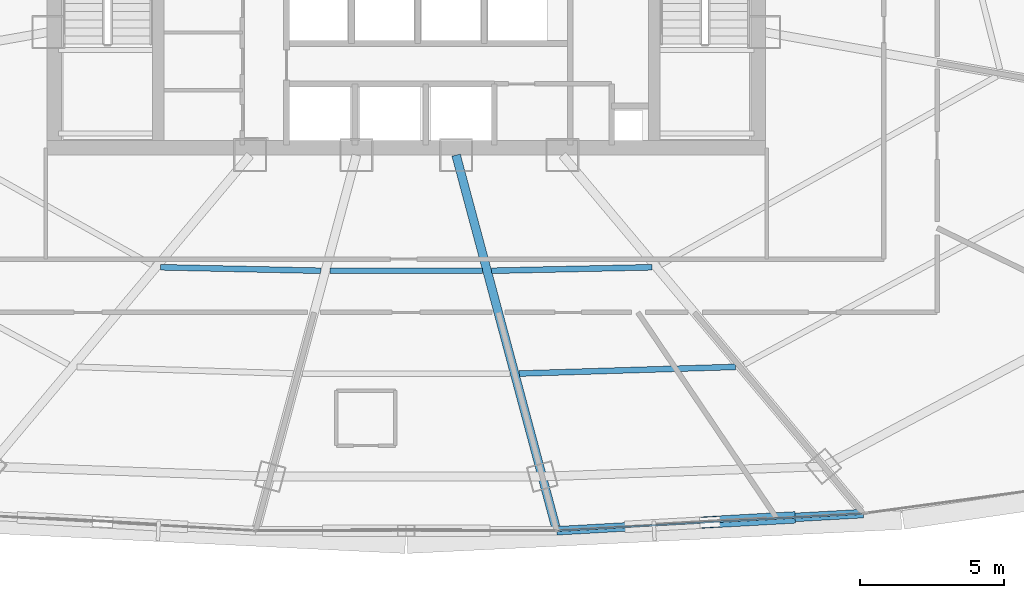
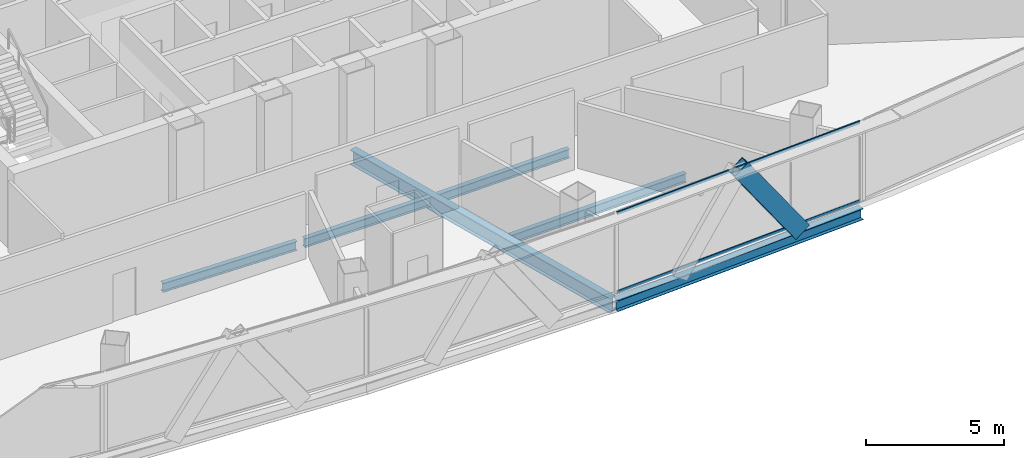
# One storey, part 13 of 37: 6 beams, 3 members, 1 element without a shape of its own.
"""IFC4 building model written with IfcOpenShell, lengths in metres."""

from ifc_helpers import new_model, si_unit, direction, frame, origin, origin_2d, place, context, subcontext, project, spatial, hollow_rectangle, i_section, extrude, source, transform, mapped, material, layer, layer_set, material_profile, profile_set, type_object, element, aggregate, save


model = new_model("IFC4")

# Units and contexts
model_context = context("Model", 3, precision=1e-05, world=origin(), true_north=direction((0.0, 1.0)))
body_context = subcontext(model_context, "Body", "Model", "MODEL_VIEW")
ifc_project = project(units=[si_unit("LENGTHUNIT", "METRE"), si_unit("AREAUNIT", "SQUARE_METRE"), si_unit("VOLUMEUNIT", "CUBIC_METRE"), si_unit("PLANEANGLEUNIT", "RADIAN"), si_unit("MASSUNIT", "GRAM", prefix="KILO"), si_unit("THERMODYNAMICTEMPERATUREUNIT", "KELVIN"), si_unit("POWERUNIT", "WATT")], contexts=[model_context])

# Site, building, storey
site_placement = place(None, origin())
site = spatial("IfcSite", under=ifc_project, at=site_placement, CompositionType="ELEMENT")
building_placement = place(site_placement, origin())
building = spatial("IfcBuilding", under=site, at=building_placement, Name="Yunzhuo Pagoda Commons", CompositionType="ELEMENT")
storey_placement = place(building_placement, frame((0.0, 0.0, 196.159912109375)))
storey = spatial("IfcBuildingStorey", under=building, at=storey_placement, Name="L49", CompositionType="ELEMENT", Elevation=196.159912109375)

# Beams
ifc_material_1 = material(Name="Structural steel Q355B", Category="steel")
ifc_material_profile_1 = material_profile(ifc_material_1, i_section(OverallWidth=0.199951171875, OverallDepth=0.39990234375, WebThickness=0.008056640625, FlangeThickness=0.012939453125, at=origin_2d()), Name="Structural steel Q355B")
ifc_profile_set_1 = profile_set([ifc_material_profile_1], Name="Structural steel Q355B")
beam_type_1 = type_object("IfcBeamType", Name="B-JS1 Joist HN 400x200x8x13", PredefinedType="JOIST", material=ifc_profile_set_1)
shared_shape_1 = source(origin(), body_context, "Body", "SweptSolid", [
    extrude(i_section(OverallWidth=0.199951171875, OverallDepth=0.39990234375, WebThickness=0.008056640625, FlangeThickness=0.012939453125, at=origin_2d()), origin(), (0.0, 0.0, 1.0), 5.550537109375),
])
for number, where, z_axis, x_axis, name in (
    (1, (39.489013671875, 23.3642578125, -0.4599609375), (0.99976582056, -0.021640333643, 0.0), (0.021640333643, 0.99976582056, 0.0), "L49 composite ring joist 1.1"),
    (2, (50.961669921875, 23.244140625, -0.4599609375), (0.99976582056, 0.021640333643, 0.0), (-0.021640333643, 0.99976582056, 0.0), "L49 composite ring joist 1.3"),
):
    element("IfcBeam", number, at=place(storey_placement, frame(where, z_axis=z_axis, x_axis=x_axis)), inside=storey, type_object=beam_type_1, Name=name, PredefinedType="JOIST", context=body_context, shape_type="MappedRepresentation", body=[
        mapped(shared_shape_1, transform((0.0, 0.0, 0.0), scale=1.0)),
    ])
shared_shape_2 = source(origin(), body_context, "Body", "SweptSolid", [
    extrude(i_section(OverallWidth=0.199951171875, OverallDepth=0.39990234375, WebThickness=0.008056640625, FlangeThickness=0.012939453125, at=origin_2d()), origin(), (0.0, 0.0, 1.0), 7.49365234375),
])
beam_1_placement = place(storey_placement, frame((51.91650390625, 19.68115234375, -0.4599609375), z_axis=(0.99952593018, 0.030788226605, 0.0), x_axis=(-0.030788226605, 0.99952593018, 0.0)))
element("IfcBeam", 3, at=beam_1_placement, inside=storey, type_object=beam_type_1, Name="L49 composite ring joist 2.3", PredefinedType="JOIST", context=body_context, shape_type="MappedRepresentation", body=[
    mapped(shared_shape_2, transform((0.0, 0.0, 0.0), scale=1.0)),
])
shared_shape_3 = source(origin(), body_context, "Body", "SweptSolid", [
    extrude(i_section(OverallWidth=0.199951171875, OverallDepth=0.39990234375, WebThickness=0.008056640625, FlangeThickness=0.012939453125, at=origin_2d()), origin(), (0.0, 0.0, 1.0), 5.287109375),
])
beam_2_placement = place(storey_placement, frame((45.3564453125, 23.24072265625, -0.4599609375), z_axis=(1.0, 0.0, 0.0), x_axis=(0.0, 1.0, 0.0)))
element("IfcBeam", 4, at=beam_2_placement, inside=storey, type_object=beam_type_1, Name="L49 composite ring joist 1.2", PredefinedType="JOIST", context=body_context, shape_type="MappedRepresentation", body=[
    mapped(shared_shape_3, transform((0.0, 0.0, 0.0), scale=1.0)),
])
ifc_material_profile_2 = material_profile(ifc_material_1, i_section(OverallWidth=0.300048828125, OverallDepth=0.64990234375, WebThickness=0.012939453125, FlangeThickness=0.02197265625, at=origin_2d()), Name="Structural steel Q355B")
ifc_profile_set_2 = profile_set([ifc_material_profile_2], Name="Structural steel Q355B")
beam_type_2 = type_object("IfcBeamType", Name="B-RG2 Beam HN 650x300x13x22", PredefinedType="BEAM", material=ifc_profile_set_2)
shared_shape_4 = source(origin(), body_context, "Body", "SweptSolid", [
    extrude(i_section(OverallWidth=0.300048828125, OverallDepth=0.64990234375, WebThickness=0.012939453125, FlangeThickness=0.02197265625, at=origin_2d()), origin(), (0.0, 0.0, 1.0), 13.320556640625),
])
beam_3_placement = place(storey_placement, frame((53.17578125, 14.38330078125, -0.5849609375), z_axis=(-0.258794106772, 0.96593250815, 0.0), x_axis=(-0.96593250815, -0.258794106772, 0.0)))
element("IfcBeam", 5, at=beam_3_placement, inside=storey, type_object=beam_type_2, Name="L49 radial floor girder F1C3", PredefinedType="BEAM", context=body_context, shape_type="MappedRepresentation", body=[
    mapped(shared_shape_4, transform((0.0, 0.0, 0.0), scale=1.0)),
])
ifc_material_profile_3 = material_profile(ifc_material_1, i_section(OverallWidth=0.300048828125, OverallDepth=0.488037109375, WebThickness=0.010986328125, FlangeThickness=0.01806640625, at=origin_2d()), Name="Structural steel Q355B")
ifc_profile_set_3 = profile_set([ifc_material_profile_3], Name="Structural steel Q355B")
beam_type_3 = type_object("IfcBeamType", Name="B-SP1 Beam HM 488x300x11x18", PredefinedType="BEAM", material=ifc_profile_set_3)
shared_shape_5 = source(origin(), body_context, "Body", "SweptSolid", [
    extrude(i_section(OverallWidth=0.300048828125, OverallDepth=0.488037109375, WebThickness=0.010986328125, FlangeThickness=0.01806640625, at=origin_2d()), origin(), (0.0, 0.0, 1.0), 10.635009765625),
])
beam_4_placement = place(storey_placement, frame((53.21630859375, 14.233642578125, -0.50390625), z_axis=(0.998431328375, 0.055990021611, 0.0), x_axis=(-0.055990021611, 0.998431328375, 0.0)))
element("IfcBeam", 6, at=beam_4_placement, inside=storey, type_object=beam_type_3, Name="L49 facade edge spandrel beam F1.3", PredefinedType="BEAM", context=body_context, shape_type="MappedRepresentation", body=[
    mapped(shared_shape_5, transform((0.0, 0.0, 0.0), scale=1.0)),
])

# Member
ifc_material_profile_4 = material_profile(ifc_material_1, hollow_rectangle(XDim=0.39990234375, YDim=0.719970703125, WallThickness=0.02392578125, at=origin_2d()), Name="Structural steel Q355B")
ifc_profile_set_4 = profile_set([ifc_material_profile_4], Name="Structural steel Q355B")
member_type_1 = type_object("IfcMemberType", Name="M-DL2 Brace BOX 720x400x24", PredefinedType="BRACE", material=ifc_profile_set_4)
shared_shape_6 = source(origin(), body_context, "Body", "SweptSolid", [
    extrude(hollow_rectangle(XDim=0.39990234375, YDim=0.719970703125, WallThickness=0.02392578125, at=origin_2d()), origin(), (0.0, 0.0, 1.0), 4.6376953125),
])
member_1_placement = place(storey_placement, frame((61.179931640625, 14.68017578125, -0.260009765625), z_axis=(-0.572371416093, -0.032111336689, 0.819365500919), x_axis=(0.056014189589, -0.99842997279, 0.0)))
element("IfcMember", 7, at=member_1_placement, inside=storey, type_object=member_type_1, Name="L49 facade diamond brace F1.3R", PredefinedType="BRACE", context=body_context, shape_type="MappedRepresentation", body=[
    mapped(shared_shape_6, transform((0.0, 0.0, 0.0), scale=1.0)),
])

# Curtain wall, members
ifc_material_2 = material(Name="Anodized aluminium 6063-T6", Category="aluminium")
ifc_layer = layer(ifc_material_2, 0.14990234375)
ifc_layer_set = layer_set([ifc_layer], Name="Anodized aluminium 6063-T6")
curtain_wall_type = type_object("IfcCurtainWallType", Name="CW-MID Mid-Zone Ribbon Curtain Wall", PredefinedType="NOTDEFINED", material=ifc_layer_set)
curtain_wall_placement = place(storey_placement, origin())
curtain_wall = element("IfcCurtainWall", 8, at=curtain_wall_placement, inside=storey, type_object=curtain_wall_type, Name="L49 curtain wall CW-L49-F1B4", PredefinedType="NOTDEFINED")
ifc_material_profile_5 = material_profile(ifc_material_2, hollow_rectangle(XDim=0.054931640625, YDim=0.1298828125, WallThickness=0.00341796875, at=origin_2d()), Name="Anodized aluminium 6063-T6")
ifc_profile_set_5 = profile_set([ifc_material_profile_5], Name="Anodized aluminium 6063-T6")
member_type_2 = type_object("IfcMemberType", Name="CW-MID-T Transom RHS 130x55x3.5", PredefinedType="USERDEFINED", material=ifc_profile_set_5)
shared_shape_7 = source(origin(), body_context, "Body", "SweptSolid", [
    extrude(hollow_rectangle(XDim=0.054931640625, YDim=0.1298828125, WallThickness=0.00341796875, at=origin_2d()), origin(), (0.0, 0.0, 1.0), 10.515380859375),
])
member_2_placement = place(storey_placement, frame((53.27587890625, 14.2373046875, 0.027587890625), z_axis=(0.998433375605, 0.055953502819, 0.0), x_axis=(-0.055953502819, 0.998433375605, 0.0)))
member_2 = element("IfcMember", 9, at=member_2_placement, type_object=member_type_2, Name="CW transom 1.1", ObjectType="TRANSOM", PredefinedType="USERDEFINED", context=body_context, shape_type="MappedRepresentation", body=[
    mapped(shared_shape_7, transform((0.0, 0.0, 0.0), scale=1.0)),
])
member_3_placement = place(storey_placement, frame((53.27587890625, 14.2373046875, 3.5126953125), z_axis=(0.998433375605, 0.055953502819, 0.0), x_axis=(-0.055953502819, 0.998433375605, 0.0)))
member_3 = element("IfcMember", 10, at=member_3_placement, type_object=member_type_2, Name="CW transom 1.2", ObjectType="TRANSOM", PredefinedType="USERDEFINED", context=body_context, shape_type="MappedRepresentation", body=[
    mapped(shared_shape_7, transform((0.0, 0.0, 0.0), scale=1.0)),
])
aggregate(curtain_wall, [member_2, member_3])

save(model, "model.ifc")
